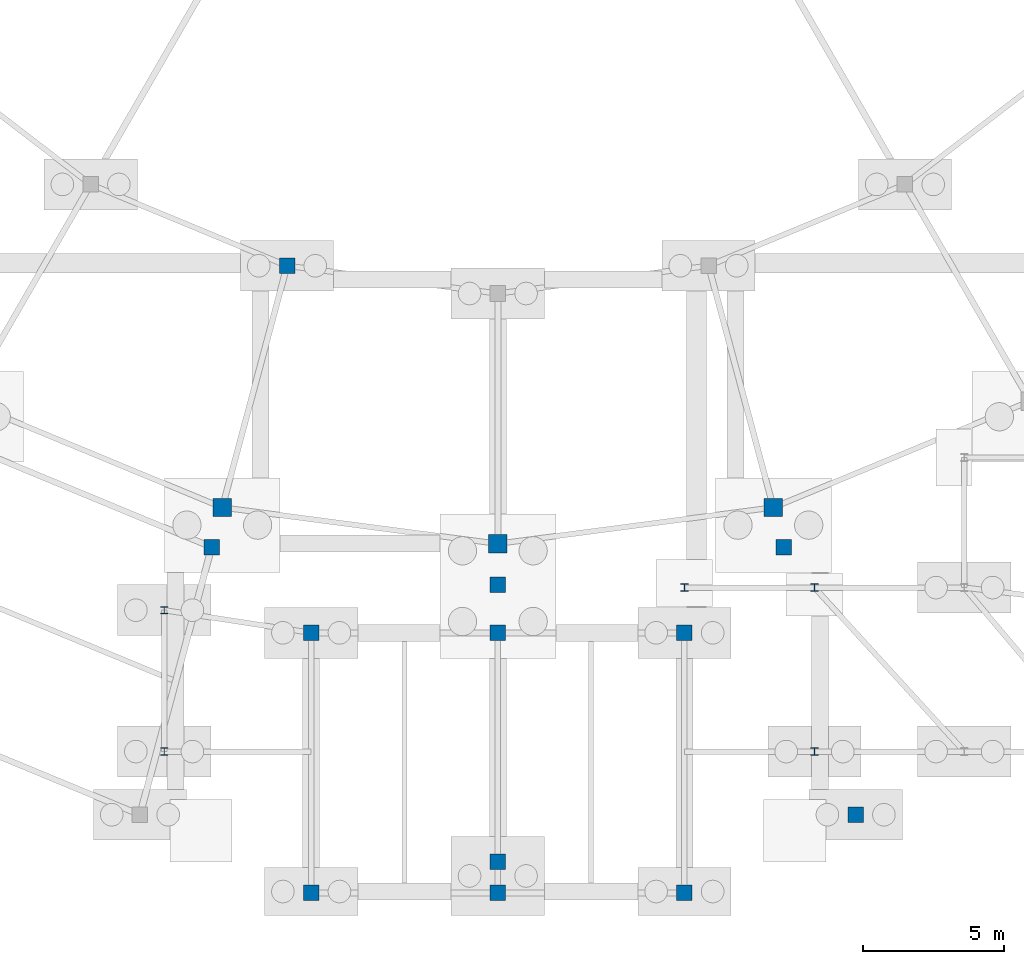
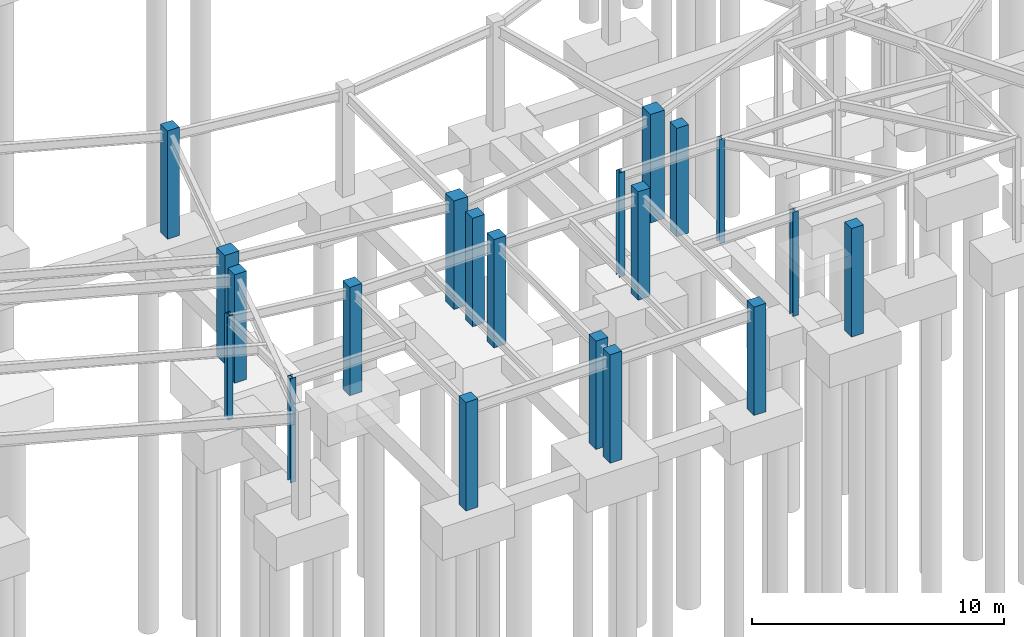
# One storey, part 15 of 55: 20 columns.
"""IFC4 building model written with IfcOpenShell, lengths in metres."""

from ifc_helpers import new_model, si_unit, direction, frame, origin, origin_2d, place, context, subcontext, project, spatial, rectangle, i_section, extrude, material, material_profile, profile_set, type_object, element, save


model = new_model("IFC4")

# Units and contexts
model_context = context("Model", 3, precision=1e-05, world=origin(), true_north=direction((0.0, 1.0)))
body_context = subcontext(model_context, "Body", "Model", "MODEL_VIEW")
ifc_project = project(units=[si_unit("LENGTHUNIT", "METRE"), si_unit("AREAUNIT", "SQUARE_METRE"), si_unit("VOLUMEUNIT", "CUBIC_METRE"), si_unit("PLANEANGLEUNIT", "RADIAN"), si_unit("MASSUNIT", "GRAM", prefix="KILO")], contexts=[model_context])

# Site, building, storey
site_placement = place(None, origin())
site = spatial("IfcSite", under=ifc_project, at=site_placement, CompositionType="ELEMENT")
building_placement = place(site_placement, origin())
building = spatial("IfcBuilding", under=site, at=building_placement, Name="Almandine Court Research Institute", CompositionType="ELEMENT")
storey_placement = place(building_placement, frame((0.0, 0.0, -5.25)))
storey = spatial("IfcBuildingStorey", under=building, at=storey_placement, Name="B1", CompositionType="ELEMENT", Elevation=-5.25)

# Columns
ifc_material_1 = material(Name="Concrete C40/50", Category="concrete")
ifc_material_profile_1 = material_profile(ifc_material_1, rectangle(XDim=0.64990234375, YDim=0.64990234375, at=origin_2d()), Name="RC 650x650")
ifc_profile_set_1 = profile_set([ifc_material_profile_1], Name="Concrete C40/50")
column_type_1 = type_object("IfcColumnType", Name="Col-C-RC2", PredefinedType="COLUMN", material=ifc_profile_set_1)
for number, where, z_axis, x_axis, name in (
    (1, (77.2548828125, 19.633056640625, 0.0), (0.0, 0.0, 1.0), (1.0, 0.0, 0.0), "B1 V2 Column V2-OUT-S17"),
    (2, (87.0, 18.35009765625, 0.0), (0.0, 0.0, 1.0), (1.0, 0.0, 0.0), "B1 V2 Column V2-OUT-S18"),
    (3, (96.7451171875, 19.633056640625, 0.0), (0.0, 0.0, 1.0), (1.0, 0.0, 0.0), "B1 V2 Column V2-OUT-S19"),
):
    element("IfcColumn", number, at=place(storey_placement, frame(where, z_axis=z_axis, x_axis=x_axis)), inside=storey, type_object=column_type_1, Name=name, PredefinedType="COLUMN", context=body_context, shape_type="SweptSolid", body=[
        extrude(rectangle(XDim=0.64990234375, YDim=0.64990234375, at=origin_2d()), origin(), (0.0, 0.0, 1.0), 5.25),
    ])
ifc_material_profile_2 = material_profile(ifc_material_1, rectangle(XDim=0.550048828125, YDim=0.550048828125, at=origin_2d()), Name="RC 550x550")
ifc_profile_set_2 = profile_set([ifc_material_profile_2], Name="Concrete C40/50")
column_type_2 = type_object("IfcColumnType", Name="Col-C-RC3", PredefinedType="COLUMN", material=ifc_profile_set_2)
for number, where, z_axis, x_axis, name in (
    (4, (80.39990234375, 6.0, 0.0), (0.0, 0.0, 1.0), (1.0, 0.0, 0.0), "B1 PSH-S Column PSH-S-X1Y1"),
    (5, (80.39990234375, 15.199951171875, 0.0), (0.0, 0.0, 1.0), (1.0, 0.0, 0.0), "B1 PSH-S Column PSH-S-X1Y2"),
    (6, (87.0, 6.0, 0.0), (0.0, 0.0, 1.0), (1.0, 0.0, 0.0), "B1 PSH-S Column PSH-S-X2Y1"),
    (7, (87.0, 15.199951171875, 0.0), (0.0, 0.0, 1.0), (1.0, 0.0, 0.0), "B1 PSH-S Column PSH-S-X2Y2"),
    (8, (93.60009765625, 6.0, 0.0), (0.0, 0.0, 1.0), (1.0, 0.0, 0.0), "B1 PSH-S Column PSH-S-X3Y1"),
    (9, (93.60009765625, 15.199951171875, 0.0), (0.0, 0.0, 1.0), (1.0, 0.0, 0.0), "B1 PSH-S Column PSH-S-X3Y2"),
    (10, (76.8798828125, 18.23193359375, 0.0), (0.0, 0.0, 1.0), (1.0, 0.0, 0.0), "B1 V5 Column V5-IN-S17"),
    (11, (87.0, 16.89990234375, 0.0), (0.0, 0.0, 1.0), (1.0, 0.0, 0.0), "B1 V5 Column V5-IN-S18"),
    (12, (87.0, 7.10009765625, 0.0), (0.0, 0.0, 1.0), (1.0, 0.0, 0.0), "B1 V5 Column V5-OUT-S18"),
    (13, (97.1201171875, 18.23193359375, 0.0), (0.0, 0.0, 1.0), (1.0, 0.0, 0.0), "B1 V5 Column V5-IN-S19"),
    (14, (99.656005859375, 8.76611328125, 0.0), (0.0, 0.0, 1.0), (1.0, 0.0, 0.0), "B1 V5 Column V5-OUT-S19"),
    (15, (79.5458984375, 28.180908203125, 0.0), (0.0, 0.0, 1.0), (1.0, 0.0, 0.0), "B1 V2 Column V2-MID-S17"),
):
    element("IfcColumn", number, at=place(storey_placement, frame(where, z_axis=z_axis, x_axis=x_axis)), inside=storey, type_object=column_type_2, Name=name, PredefinedType="COLUMN", context=body_context, shape_type="SweptSolid", body=[
        extrude(rectangle(XDim=0.550048828125, YDim=0.550048828125, at=origin_2d()), origin(), (0.0, 0.0, 1.0), 5.25),
    ])
ifc_material_2 = material(Name="Steel ASTM A992 Grade 50", Category="steel")
ifc_material_profile_3 = material_profile(ifc_material_2, i_section(OverallWidth=0.25390625, OverallDepth=0.2529296875, WebThickness=0.009033203125, FlangeThickness=0.013916015625, at=origin_2d()), Name="W250x73")
ifc_profile_set_3 = profile_set([ifc_material_profile_3], Name="Steel ASTM A992 Grade 50")
column_type_3 = type_object("IfcColumnType", Name="Col-C-W10", PredefinedType="COLUMN", material=ifc_profile_set_3)
for number, where, z_axis, x_axis, name in (
    (16, (93.60009765625, 16.800048828125, 0.0), (0.0, 0.0, 1.0), (1.0, 0.0, 0.0), "B1 Exterior Threshold Support Column PAD-PSH-E-IN0"),
    (17, (98.199951171875, 16.800048828125, 0.0), (0.0, 0.0, 1.0), (1.0, 0.0, 0.0), "B1 Exterior Threshold Support Column PAD-PSH-E-IN1"),
    (18, (75.199951171875, 11.0, 0.0), (0.0, 0.0, 1.0), (1.0, 0.0, 0.0), "B1 Exterior Threshold Support Column PAD-PSH-W-C1"),
    (19, (75.199951171875, 16.0, 0.0), (0.0, 0.0, 1.0), (1.0, 0.0, 0.0), "B1 Exterior Threshold Support Column PAD-PSH-W-C2"),
    (20, (98.199951171875, 11.0, 0.0), (0.0, 0.0, 1.0), (1.0, 0.0, 0.0), "B1 Exterior Threshold Support Column PAD-PSH-E-C1"),
):
    element("IfcColumn", number, at=place(storey_placement, frame(where, z_axis=z_axis, x_axis=x_axis)), inside=storey, type_object=column_type_3, Name=name, PredefinedType="COLUMN", context=body_context, shape_type="SweptSolid", body=[
        extrude(i_section(OverallWidth=0.25390625, OverallDepth=0.2529296875, WebThickness=0.009033203125, FlangeThickness=0.013916015625, at=origin_2d()), origin(), (0.0, 0.0, 1.0), 5.050048828125),
    ])

save(model, "model.ifc")
